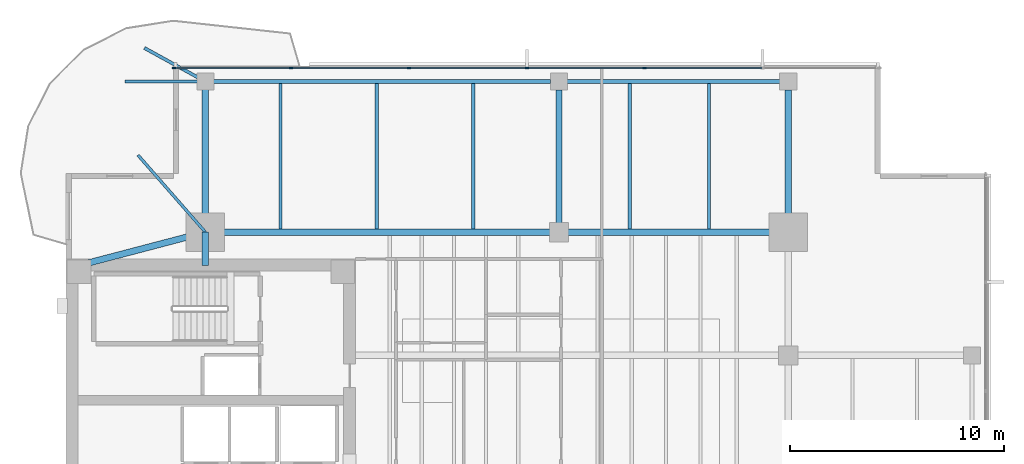
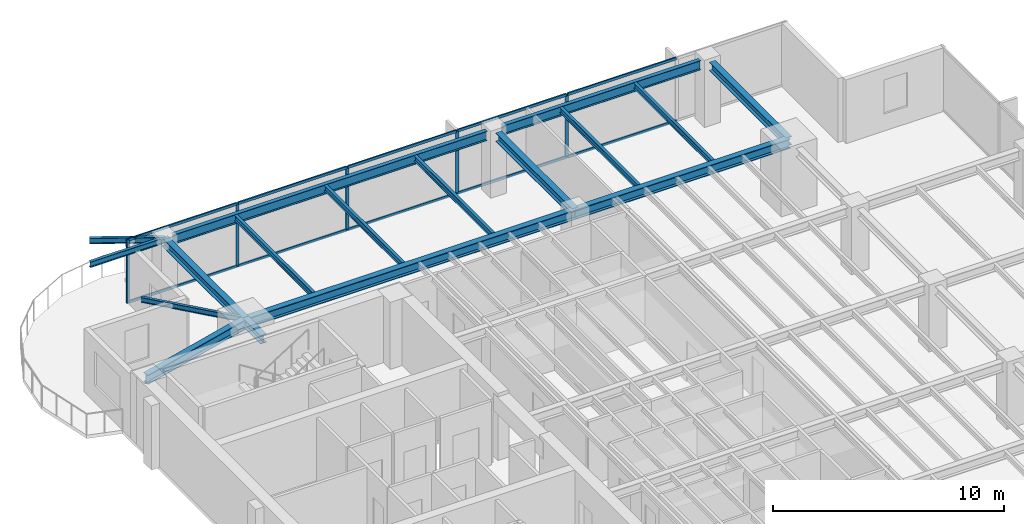
# One storey, part 5 of 14: 17 beams, 15 members, 1 element without a shape of its own.
"""IFC4 building model written with IfcOpenShell, lengths in metres."""

import ifcopenshell
import ifcopenshell.guid

model = None  # the IFC model being written
_history = None  # IfcOwnerHistory: only IFC2X3 demands one
_inside = {}  # id of a spatial element -> (the spatial element, [elements in it])
_under = {}  # id of a project, library or spatial element -> (it, [spatial elements below it])
_declared = {}  # id of a project -> (the project, [libraries it declares])
_typed = {}  # id of a type object -> (the type object, [elements of that type])
_made_of = {}  # id of a material, layer set ... -> (it, [elements and type objects made of it])


def new_model(schema):
    """Start an empty IFC model of exactly this schema.

    Asked for "IFC4X3", IfcOpenShell would pick the latest addendum, in which some entities
    have other attributes; the version numbers below select the first issue.
    IFC2X3 requires an IfcOwnerHistory on every rooted entity: one is made here for all.
    """
    global model, _history
    if schema == "IFC4X3":
        model = ifcopenshell.file(schema_version=(4, 3, 0, 0))
    else:
        model = ifcopenshell.file(schema=schema)
    _inside.clear()
    _under.clear()
    _declared.clear()
    _typed.clear()
    _made_of.clear()
    _history = None
    if model.schema == "IFC2X3":
        org = make("IfcOrganization", Name="unknown")
        user = make(
            "IfcPersonAndOrganization",
            ThePerson=make("IfcPerson", FamilyName="unknown"),
            TheOrganization=org,
        )
        app = make(
            "IfcApplication",
            ApplicationDeveloper=org,
            Version="unknown",
            ApplicationFullName="unknown",
            ApplicationIdentifier="unknown",
        )
        _history = make(
            "IfcOwnerHistory",
            OwningUser=user,
            OwningApplication=app,
            ChangeAction="ADDED",
            CreationDate=0,
        )
    return model


def make(cls, **values):
    """One entity of the class cls with the attributes given. An attribute that is None is left unset."""
    return model.create_entity(
        cls, **{name: value for name, value in values.items() if value is not None}
    )


def rooted(cls, **values):
    """An entity with a GlobalId (a new one), such as an element, a storey or a relation."""
    return make(cls, GlobalId=ifcopenshell.guid.new(), OwnerHistory=_history, **values)


def si_unit(unit_type, name, prefix=None):
    """IfcSIUnit, for example si_unit("LENGTHUNIT", "METRE", prefix="MILLI")."""
    return make("IfcSIUnit", UnitType=unit_type, Prefix=prefix, Name=name)


def assignment(units):
    """IfcUnitAssignment: the units of a project."""
    return None if units is None else make("IfcUnitAssignment", Units=units)


def point(xyz):
    """IfcCartesianPoint."""
    return None if xyz is None else make("IfcCartesianPoint", Coordinates=xyz)


def direction(xyz):
    """IfcDirection."""
    return None if xyz is None else make("IfcDirection", DirectionRatios=xyz)


def frame(location, z_axis=None, x_axis=None):
    """IfcAxis2Placement3D, a coordinate frame: its origin and axes. An axis left out is left unset."""
    return make(
        "IfcAxis2Placement3D",
        Location=point(location),
        Axis=direction(z_axis),
        RefDirection=direction(x_axis),
    )


def frame_2d(location, x_axis=None):
    """IfcAxis2Placement2D, a coordinate frame in the plane: its origin and x axis."""
    return make(
        "IfcAxis2Placement2D", Location=point(location), RefDirection=direction(x_axis)
    )


def origin():
    """The frame at (0, 0, 0) with its axes left unset."""
    return frame((0.0, 0.0, 0.0))


def origin_2d():
    """The frame at (0, 0) in the plane with its x axis left unset."""
    return frame_2d((0.0, 0.0))


def place(relative_to, where):
    """IfcLocalPlacement: puts the frame where relative to a parent placement (None: the world)."""
    return make(
        "IfcLocalPlacement", PlacementRelTo=relative_to, RelativePlacement=where
    )


def context(
    kind, dimensions, precision=None, world=None, true_north=None, identifier=None
):
    """IfcGeometricRepresentationContext, for example the 3D "Model" context."""
    return make(
        "IfcGeometricRepresentationContext",
        ContextIdentifier=identifier,
        ContextType=kind,
        CoordinateSpaceDimension=dimensions,
        Precision=precision,
        WorldCoordinateSystem=world,
        TrueNorth=true_north,
    )


def subcontext(parent, identifier, kind, view, scale=None):
    """IfcGeometricRepresentationSubContext, for example "Body" below "Model"."""
    return make(
        "IfcGeometricRepresentationSubContext",
        ContextIdentifier=identifier,
        ContextType=kind,
        ParentContext=parent,
        TargetScale=scale,
        TargetView=view,
    )


def project(units=None, contexts=None):
    """IfcProject with its units and contexts."""
    return rooted(
        "IfcProject",
        Name="project",
        RepresentationContexts=contexts,
        UnitsInContext=assignment(units),
    )


def spatial(cls, under=None, at=None, **own):
    """A site, building, storey or space (cls), placed at a placement, below another one or the project."""
    s = rooted(cls, ObjectPlacement=at, **own)
    if under is not None:
        _under.setdefault(under.id(), (under, []))[1].append(s)
    return s


def profile(cls, at=None, kind="AREA", **sizes):
    """A parametric profile (cls). Its sizes go by their IFC names, for example OverallWidth=200.0."""
    return make(cls, ProfileType=kind, Position=at, **sizes)


def rectangle(**sizes):
    """IfcRectangleProfileDef."""
    return profile("IfcRectangleProfileDef", **sizes)


def i_section(**sizes):
    """IfcIShapeProfileDef."""
    return profile("IfcIShapeProfileDef", **sizes)


def extrude(swept, where, along, depth):
    """IfcExtrudedAreaSolid: the profile swept, set in the frame where, extruded along a direction by depth."""
    return make(
        "IfcExtrudedAreaSolid",
        SweptArea=swept,
        Position=where,
        ExtrudedDirection=direction(along),
        Depth=depth,
    )


def shape(context_of_items, identifier, shape_type, items):
    """IfcShapeRepresentation: the items that make up one representation, for example the "Body"."""
    return make(
        "IfcShapeRepresentation",
        ContextOfItems=context_of_items,
        RepresentationIdentifier=identifier,
        RepresentationType=shape_type,
        Items=items,
    )


def material(Name=None, Category=None):
    """IfcMaterial."""
    return make("IfcMaterial", Name=Name, Category=Category)


def layer(
    of_material, thickness, ventilated=None, Name=None, Category=None, Priority=None
):
    """IfcMaterialLayer: one layer of a wall or slab, of a material (None: an air gap)."""
    return make(
        "IfcMaterialLayer",
        Material=of_material,
        LayerThickness=thickness,
        IsVentilated=ventilated,
        Name=Name,
        Category=Category,
        Priority=Priority,
    )


def layer_set(layers, Name=None):
    """IfcMaterialLayerSet."""
    return make("IfcMaterialLayerSet", MaterialLayers=layers, LayerSetName=Name)


def material_profile(
    of_material, cross_section, Name=None, Category=None, Priority=None
):
    """IfcMaterialProfile: a cross section and its material."""
    return make(
        "IfcMaterialProfile",
        Name=Name,
        Material=of_material,
        Profile=cross_section,
        Priority=Priority,
        Category=Category,
    )


def profile_set(profiles, Name=None, composite=None):
    """IfcMaterialProfileSet."""
    return make(
        "IfcMaterialProfileSet",
        Name=Name,
        MaterialProfiles=profiles,
        CompositeProfile=composite,
    )


def made_of(thing, what):
    """Note that an element or type object is made of a material, layer set ...; save() writes the relation."""
    if what is not None:
        _made_of.setdefault(what.id(), (what, []))[1].append(thing)
    return thing


def type_object(cls, material=None, **own):
    """A type object (cls), such as IfcWallType, which elements share."""
    return made_of(rooted(cls, **own), material)


def element(
    cls,
    number,
    at=None,
    inside=None,
    cuts=None,
    type_object=None,
    material=None,
    context=None,
    identifier="Body",
    shape_type=None,
    held_by="IfcProductDefinitionShape",
    body=None,
    shapes=None,
    **own,
):
    """One element of the class cls, such as IfcWall. Its Tag is "e" and its number.

    at: its placement. inside: the storey or other place that contains it. cuts: it is an
    opening in that element (IfcRelVoidsElement). A single representation is given by context,
    identifier, shape_type and body (its items); several are given by shapes. held_by: the class
    of the entity that holds the representations. save() writes the other relations.
    """
    e = rooted(cls, Tag="e%d" % number, ObjectPlacement=at, **own)
    if body is not None:
        shapes = [shape(context, identifier, shape_type, body)]
    if shapes is not None:
        e.Representation = make(held_by, Representations=shapes)
    if inside is not None:
        _inside.setdefault(inside.id(), (inside, []))[1].append(e)
    if cuts is not None:
        rooted(
            "IfcRelVoidsElement", RelatingBuildingElement=cuts, RelatedOpeningElement=e
        )
    if type_object is not None:
        _typed.setdefault(type_object.id(), (type_object, []))[1].append(e)
    return made_of(e, material)


def aggregate(whole, parts):
    """IfcRelAggregates: a whole, such as a stair, and the parts it consists of."""
    return rooted("IfcRelAggregates", RelatingObject=whole, RelatedObjects=parts)


def save(model, path):
    """Write the relations noted so far, then the file.

    IfcRelAggregates (storeys below a building ...), IfcRelContainedInSpatialStructure (elements
    in a storey), IfcRelDefinesByType, IfcRelAssociatesMaterial and IfcRelDeclares: one each for
    every whole, place, type object, material and project.
    """
    for whole, parts in _under.values():
        aggregate(whole, parts)
    for where, things in _inside.values():
        rooted(
            "IfcRelContainedInSpatialStructure",
            RelatedElements=things,
            RelatingStructure=where,
        )
    for kind, things in _typed.values():
        rooted("IfcRelDefinesByType", RelatedObjects=things, RelatingType=kind)
    for what, things in _made_of.values():
        rooted("IfcRelAssociatesMaterial", RelatedObjects=things, RelatingMaterial=what)
    for by, libraries in _declared.values():
        rooted("IfcRelDeclares", RelatingContext=by, RelatedDefinitions=libraries)
    model.write(path)


model = new_model("IFC4")

# Units and contexts
model_context = context("Model", 3, precision=1e-05, world=origin(), true_north=direction((0.0, 1.0)))
body_context = subcontext(model_context, "Body", "Model", "MODEL_VIEW")
ifc_project = project(units=[si_unit("LENGTHUNIT", "METRE"), si_unit("AREAUNIT", "SQUARE_METRE"), si_unit("VOLUMEUNIT", "CUBIC_METRE"), si_unit("PLANEANGLEUNIT", "RADIAN"), si_unit("MASSUNIT", "GRAM", prefix="KILO")], contexts=[model_context])

# Site, building, storey
site_placement = place(None, origin())
site = spatial("IfcSite", under=ifc_project, at=site_placement, CompositionType="ELEMENT")
building_placement = place(site_placement, origin())
building = spatial("IfcBuilding", under=site, at=building_placement, Name="Kinhvarn Gate Tower", CompositionType="ELEMENT")
storey_placement = place(building_placement, frame((0.0, 0.0, 191.60009765625)))
storey = spatial("IfcBuildingStorey", under=building, at=storey_placement, Name="L50", CompositionType="ELEMENT", Elevation=191.60009765625)

# Curtain wall, members
ifc_material_1 = material(Name="Anodised aluminium AW-6063", Category="aluminium")
ifc_layer = layer(ifc_material_1, 0.179931640625)
ifc_layer_set = layer_set([ifc_layer], Name="Anodised aluminium AW-6063")
curtain_wall_type = type_object("IfcCurtainWallType", Name="CW-SYS-3", PredefinedType="NOTDEFINED", material=ifc_layer_set)
curtain_wall_placement = place(storey_placement, origin())
curtain_wall = element("IfcCurtainWall", 1, at=curtain_wall_placement, inside=storey, type_object=curtain_wall_type, Name="Curtain Wall CW3 (L50)", PredefinedType="NOTDEFINED")
ifc_material_profile_1 = material_profile(ifc_material_1, rectangle(XDim=0.06494140625, YDim=0.159912109375, at=origin_2d()), Name="ALU 65x160")
ifc_profile_set_1 = profile_set([ifc_material_profile_1], Name="Anodised aluminium AW-6063")
member_type_1 = type_object("IfcMemberType", Name="CW-MUL-160", PredefinedType="MULLION", material=ifc_profile_set_1)
member_1_placement = place(storey_placement, frame((31.5, 45.409912109375, 0.0), z_axis=(0.0, 0.0, 1.0), x_axis=(0.0, -1.0, 0.0)))
member_1 = element("IfcMember", 2, at=member_1_placement, type_object=member_type_1, Name="CW3 mullion 3", PredefinedType="MULLION", context=body_context, shape_type="SweptSolid", body=[
    extrude(rectangle(XDim=0.06494140625, YDim=0.159912109375, at=origin_2d()), origin(), (0.0, 0.0, 1.0), 3.369873046875),
])
member_2_placement = place(storey_placement, frame((26.0, 45.409912109375, 0.0), z_axis=(0.0, 0.0, 1.0), x_axis=(0.0, -1.0, 0.0)))
member_2 = element("IfcMember", 3, at=member_2_placement, type_object=member_type_1, Name="CW3 mullion 4", PredefinedType="MULLION", context=body_context, shape_type="SweptSolid", body=[
    extrude(rectangle(XDim=0.06494140625, YDim=0.159912109375, at=origin_2d()), origin(), (0.0, 0.0, 1.0), 3.369873046875),
])
member_3_placement = place(storey_placement, frame((20.5, 45.409912109375, 0.0), z_axis=(0.0, 0.0, 1.0), x_axis=(0.0, -1.0, 0.0)))
member_3 = element("IfcMember", 4, at=member_3_placement, type_object=member_type_1, Name="CW3 mullion 5", PredefinedType="MULLION", context=body_context, shape_type="SweptSolid", body=[
    extrude(rectangle(XDim=0.06494140625, YDim=0.159912109375, at=origin_2d()), origin(), (0.0, 0.0, 1.0), 3.369873046875),
])
member_4_placement = place(storey_placement, frame((15.0, 45.409912109375, 0.0), z_axis=(0.0, 0.0, 1.0), x_axis=(0.0, -1.0, 0.0)))
member_4 = element("IfcMember", 5, at=member_4_placement, type_object=member_type_1, Name="CW3 mullion 6", PredefinedType="MULLION", context=body_context, shape_type="SweptSolid", body=[
    extrude(rectangle(XDim=0.06494140625, YDim=0.159912109375, at=origin_2d()), origin(), (0.0, 0.0, 1.0), 3.369873046875),
])
member_5_placement = place(storey_placement, frame((9.532470703125, 45.409912109375, 0.0), z_axis=(0.0, 0.0, 1.0), x_axis=(0.0, -1.0, 0.0)))
member_5 = element("IfcMember", 6, at=member_5_placement, type_object=member_type_1, Name="CW3 mullion 7", PredefinedType="MULLION", context=body_context, shape_type="SweptSolid", body=[
    extrude(rectangle(XDim=0.06494140625, YDim=0.159912109375, at=origin_2d()), origin(), (0.0, 0.0, 1.0), 3.369873046875),
])
ifc_material_profile_2 = material_profile(ifc_material_1, rectangle(XDim=0.070068359375, YDim=0.139892578125, at=origin_2d()), Name="ALU 70x140")
ifc_profile_set_2 = profile_set([ifc_material_profile_2], Name="Anodised aluminium AW-6063")
member_type_2 = type_object("IfcMemberType", Name="CW-TRN-140", PredefinedType="USERDEFINED", material=ifc_profile_set_2)
member_6_placement = place(storey_placement, frame((36.967529296875, 45.409912109375, 0.034912109375), z_axis=(-1.0, 0.0, 0.0), x_axis=(0.0, -1.0, 0.0)))
member_6 = element("IfcMember", 7, at=member_6_placement, type_object=member_type_2, Name="CW3 transom 2.1", ObjectType="TRANSOM", PredefinedType="USERDEFINED", context=body_context, shape_type="SweptSolid", body=[
    extrude(rectangle(XDim=0.070068359375, YDim=0.139892578125, at=origin_2d()), origin(), (0.0, 0.0, 1.0), 5.43505859375),
])
member_7_placement = place(storey_placement, frame((36.967529296875, 45.409912109375, 3.3349609375), z_axis=(-1.0, 0.0, 0.0), x_axis=(0.0, -1.0, 0.0)))
member_7 = element("IfcMember", 8, at=member_7_placement, type_object=member_type_2, Name="CW3 transom 2.2", ObjectType="TRANSOM", PredefinedType="USERDEFINED", context=body_context, shape_type="SweptSolid", body=[
    extrude(rectangle(XDim=0.070068359375, YDim=0.139892578125, at=origin_2d()), origin(), (0.0, 0.0, 1.0), 5.43505859375),
])
member_8_placement = place(storey_placement, frame((31.467529296875, 45.409912109375, 0.034912109375), z_axis=(-1.0, 0.0, 0.0), x_axis=(0.0, -1.0, 0.0)))
member_8 = element("IfcMember", 9, at=member_8_placement, type_object=member_type_2, Name="CW3 transom 3.1", ObjectType="TRANSOM", PredefinedType="USERDEFINED", context=body_context, shape_type="SweptSolid", body=[
    extrude(rectangle(XDim=0.070068359375, YDim=0.139892578125, at=origin_2d()), origin(), (0.0, 0.0, 1.0), 5.43505859375),
])
member_9_placement = place(storey_placement, frame((31.467529296875, 45.409912109375, 3.3349609375), z_axis=(-1.0, 0.0, 0.0), x_axis=(0.0, -1.0, 0.0)))
member_9 = element("IfcMember", 10, at=member_9_placement, type_object=member_type_2, Name="CW3 transom 3.2", ObjectType="TRANSOM", PredefinedType="USERDEFINED", context=body_context, shape_type="SweptSolid", body=[
    extrude(rectangle(XDim=0.070068359375, YDim=0.139892578125, at=origin_2d()), origin(), (0.0, 0.0, 1.0), 5.43505859375),
])
member_10_placement = place(storey_placement, frame((25.967529296875, 45.409912109375, 0.034912109375), z_axis=(-1.0, 0.0, 0.0), x_axis=(0.0, -1.0, 0.0)))
member_10 = element("IfcMember", 11, at=member_10_placement, type_object=member_type_2, Name="CW3 transom 4.1", ObjectType="TRANSOM", PredefinedType="USERDEFINED", context=body_context, shape_type="SweptSolid", body=[
    extrude(rectangle(XDim=0.070068359375, YDim=0.139892578125, at=origin_2d()), origin(), (0.0, 0.0, 1.0), 5.43505859375),
])
member_11_placement = place(storey_placement, frame((25.967529296875, 45.409912109375, 3.3349609375), z_axis=(-1.0, 0.0, 0.0), x_axis=(0.0, -1.0, 0.0)))
member_11 = element("IfcMember", 12, at=member_11_placement, type_object=member_type_2, Name="CW3 transom 4.2", ObjectType="TRANSOM", PredefinedType="USERDEFINED", context=body_context, shape_type="SweptSolid", body=[
    extrude(rectangle(XDim=0.070068359375, YDim=0.139892578125, at=origin_2d()), origin(), (0.0, 0.0, 1.0), 5.43505859375),
])
member_12_placement = place(storey_placement, frame((20.467529296875, 45.409912109375, 0.034912109375), z_axis=(-1.0, 0.0, 0.0), x_axis=(0.0, -1.0, 0.0)))
member_12 = element("IfcMember", 13, at=member_12_placement, type_object=member_type_2, Name="CW3 transom 5.1", ObjectType="TRANSOM", PredefinedType="USERDEFINED", context=body_context, shape_type="SweptSolid", body=[
    extrude(rectangle(XDim=0.070068359375, YDim=0.139892578125, at=origin_2d()), origin(), (0.0, 0.0, 1.0), 5.43505859375),
])
member_13_placement = place(storey_placement, frame((20.467529296875, 45.409912109375, 3.3349609375), z_axis=(-1.0, 0.0, 0.0), x_axis=(0.0, -1.0, 0.0)))
member_13 = element("IfcMember", 14, at=member_13_placement, type_object=member_type_2, Name="CW3 transom 5.2", ObjectType="TRANSOM", PredefinedType="USERDEFINED", context=body_context, shape_type="SweptSolid", body=[
    extrude(rectangle(XDim=0.070068359375, YDim=0.139892578125, at=origin_2d()), origin(), (0.0, 0.0, 1.0), 5.43505859375),
])
member_14_placement = place(storey_placement, frame((14.967529296875, 45.409912109375, 0.034912109375), z_axis=(-1.0, 0.0, 0.0), x_axis=(0.0, -1.0, 0.0)))
member_14 = element("IfcMember", 15, at=member_14_placement, type_object=member_type_2, Name="CW3 transom 6.1", ObjectType="TRANSOM", PredefinedType="USERDEFINED", context=body_context, shape_type="SweptSolid", body=[
    extrude(rectangle(XDim=0.070068359375, YDim=0.139892578125, at=origin_2d()), origin(), (0.0, 0.0, 1.0), 5.402587890625),
])
member_15_placement = place(storey_placement, frame((14.967529296875, 45.409912109375, 3.3349609375), z_axis=(-1.0, 0.0, 0.0), x_axis=(0.0, -1.0, 0.0)))
member_15 = element("IfcMember", 16, at=member_15_placement, type_object=member_type_2, Name="CW3 transom 6.2", ObjectType="TRANSOM", PredefinedType="USERDEFINED", context=body_context, shape_type="SweptSolid", body=[
    extrude(rectangle(XDim=0.070068359375, YDim=0.139892578125, at=origin_2d()), origin(), (0.0, 0.0, 1.0), 5.402587890625),
])
aggregate(curtain_wall, [member_1, member_2, member_3, member_4, member_5, member_6, member_7, member_8, member_9, member_10, member_11, member_12, member_13, member_14, member_15])

# Beams
ifc_material_2 = material(Name="Steel S355", Category="steel")
ifc_material_profile_3 = material_profile(ifc_material_2, i_section(OverallWidth=0.300048828125, OverallDepth=0.449951171875, WebThickness=0.013916015625, FlangeThickness=0.02587890625, at=origin_2d()), Name="HEB 450")
ifc_profile_set_3 = profile_set([ifc_material_profile_3], Name="Steel S355")
beam_type_1 = type_object("IfcBeamType", Name="STL-HEB450", PredefinedType="BEAM", material=ifc_profile_set_3)
beam_1_placement = place(storey_placement, frame((11.0, 36.199951171875, 3.14501953125), z_axis=(0.0, 1.0, 0.0), x_axis=(-1.0, 0.0, 0.0)))
element("IfcBeam", 17, at=beam_1_placement, inside=storey, type_object=beam_type_1, Name="Floor Beam PG-13 (L50 MCW-CN)", PredefinedType="BEAM", context=body_context, shape_type="SweptSolid", body=[
    extrude(i_section(OverallWidth=0.300048828125, OverallDepth=0.449951171875, WebThickness=0.013916015625, FlangeThickness=0.02587890625, at=origin_2d()), origin(), (0.0, 0.0, 1.0), 1.550048828125),
])
beam_2_placement = place(storey_placement, frame((11.0, 37.75, 3.14501953125), z_axis=(0.0, 1.0, 0.0), x_axis=(-1.0, 0.0, 0.0)))
element("IfcBeam", 18, at=beam_2_placement, inside=storey, type_object=beam_type_1, Name="Floor Beam PG-13 (L50 MCW-N)", PredefinedType="BEAM", context=body_context, shape_type="SweptSolid", body=[
    extrude(i_section(OverallWidth=0.300048828125, OverallDepth=0.449951171875, WebThickness=0.013916015625, FlangeThickness=0.02587890625, at=origin_2d()), origin(), (0.0, 0.0, 1.0), 7.030029296875),
])
for number, where, z_axis, x_axis, name in (
    (19, (27.5, 37.75, 3.14501953125), (0.0, 1.0, 0.0), (-1.0, 0.0, 0.0), "Floor Beam PG-13 (L50 SP27-N-TIE)"),
    (20, (38.199951171875, 37.75, 3.14501953125), (0.0, 1.0, 0.0), (-1.0, 0.0, 0.0), "Floor Beam PG-13 (L50 MCE-N)"),
):
    element("IfcBeam", number, at=place(storey_placement, frame(where, z_axis=z_axis, x_axis=x_axis)), inside=storey, type_object=beam_type_1, Name=name, PredefinedType="BEAM", context=body_context, shape_type="SweptSolid", body=[
        extrude(i_section(OverallWidth=0.300048828125, OverallDepth=0.449951171875, WebThickness=0.013916015625, FlangeThickness=0.02587890625, at=origin_2d()), origin(), (0.0, 0.0, 1.0), 6.64501953125),
    ])
ifc_material_profile_4 = material_profile(ifc_material_2, i_section(OverallWidth=0.300048828125, OverallDepth=0.5, WebThickness=0.014404296875, FlangeThickness=0.028076171875, at=origin_2d()), Name="HEB 500")
ifc_profile_set_4 = profile_set([ifc_material_profile_4], Name="Steel S355")
beam_type_2 = type_object("IfcBeamType", Name="STL-HEB500", PredefinedType="BEAM", material=ifc_profile_set_4)
beam_3_placement = place(storey_placement, frame((11.0, 37.75, 3.119873046875), z_axis=(1.0, 0.0, 0.0), x_axis=(0.0, 1.0, 0.0)))
element("IfcBeam", 21, at=beam_3_placement, inside=storey, type_object=beam_type_2, Name="Floor Beam PG-14 (L50 MG-N1)", PredefinedType="BEAM", context=body_context, shape_type="SweptSolid", body=[
    extrude(i_section(OverallWidth=0.300048828125, OverallDepth=0.5, WebThickness=0.014404296875, FlangeThickness=0.028076171875, at=origin_2d()), origin(), (0.0, 0.0, 1.0), 16.5),
])
beam_4_placement = place(storey_placement, frame((27.5, 37.75, 3.119873046875), z_axis=(1.0, 0.0, 0.0), x_axis=(0.0, 1.0, 0.0)))
element("IfcBeam", 22, at=beam_4_placement, inside=storey, type_object=beam_type_2, Name="Floor Beam PG-14 (L50 MG-N2)", PredefinedType="BEAM", context=body_context, shape_type="SweptSolid", body=[
    extrude(i_section(OverallWidth=0.300048828125, OverallDepth=0.5, WebThickness=0.014404296875, FlangeThickness=0.028076171875, at=origin_2d()), origin(), (0.0, 0.0, 1.0), 10.699951171875),
])
beam_5_placement = place(storey_placement, frame((5.10009765625, 36.199951171875, 3.119873046875), z_axis=(0.967177623957, 0.254101246979, 0.0), x_axis=(-0.254101246979, 0.967177623957, 0.0)))
element("IfcBeam", 23, at=beam_5_placement, inside=storey, type_object=beam_type_2, Name="Floor Beam PG-14 (L50 MG-NW-DIAG)", PredefinedType="BEAM", context=body_context, shape_type="SweptSolid", body=[
    extrude(i_section(OverallWidth=0.300048828125, OverallDepth=0.5, WebThickness=0.014404296875, FlangeThickness=0.028076171875, at=origin_2d()), origin(), (0.0, 0.0, 1.0), 6.10009765625),
])
ifc_material_profile_5 = material_profile(ifc_material_2, i_section(OverallWidth=0.135009765625, OverallDepth=0.27001953125, WebThickness=0.006591796875, FlangeThickness=0.01025390625, at=origin_2d()), Name="IPE 270")
ifc_profile_set_5 = profile_set([ifc_material_profile_5], Name="Steel S355")
beam_type_3 = type_object("IfcBeamType", Name="STL-IPE270", PredefinedType="JOIST", material=ifc_profile_set_5)
beam_6_placement = place(storey_placement, frame((11.0, 37.75, 3.23486328125), z_axis=(-0.658482928045, 0.752595664001, 0.0), x_axis=(-0.752595664001, -0.658482928045, 0.0)))
element("IfcBeam", 24, at=beam_6_placement, inside=storey, type_object=beam_type_3, Name="Floor Joist SB-01 (L50 BAL-B3-L51)", PredefinedType="JOIST", context=body_context, shape_type="SweptSolid", body=[
    extrude(i_section(OverallWidth=0.135009765625, OverallDepth=0.27001953125, WebThickness=0.006591796875, FlangeThickness=0.01025390625, at=origin_2d()), origin(), (0.0, 0.0, 1.0), 4.78369140625),
])
ifc_material_profile_6 = material_profile(ifc_material_2, i_section(OverallWidth=0.14990234375, OverallDepth=0.300048828125, WebThickness=0.007080078125, FlangeThickness=0.0107421875, at=origin_2d()), Name="IPE 300")
ifc_profile_set_6 = profile_set([ifc_material_profile_6], Name="Steel S355")
beam_type_4 = type_object("IfcBeamType", Name="STL-IPE300", PredefinedType="JOIST", material=ifc_profile_set_6)
for number, where, z_axis, x_axis, name in (
    (25, (14.5, 37.89990234375, 3.219970703125), (0.0, 1.0, 0.0), (-1.0, 0.0, 0.0), "Floor Joist SB-02 (L50 JN-X145)"),
    (26, (19.0, 37.89990234375, 3.219970703125), (0.0, 1.0, 0.0), (-1.0, 0.0, 0.0), "Floor Joist SB-02 (L50 JN-X190)"),
    (27, (23.5, 37.89990234375, 3.219970703125), (0.0, 1.0, 0.0), (-1.0, 0.0, 0.0), "Floor Joist SB-02 (L50 JN-X235)"),
    (28, (30.800048828125, 37.89990234375, 3.219970703125), (0.0, 1.0, 0.0), (-1.0, 0.0, 0.0), "Floor Joist SB-02 (L50 JN-X308)"),
    (29, (34.5, 37.89990234375, 3.219970703125), (0.0, 1.0, 0.0), (-1.0, 0.0, 0.0), "Floor Joist SB-02 (L50 JN-X345)"),
):
    element("IfcBeam", number, at=place(storey_placement, frame(where, z_axis=z_axis, x_axis=x_axis)), inside=storey, type_object=beam_type_4, Name=name, PredefinedType="JOIST", context=body_context, shape_type="SweptSolid", body=[
        extrude(i_section(OverallWidth=0.14990234375, OverallDepth=0.300048828125, WebThickness=0.007080078125, FlangeThickness=0.0107421875, at=origin_2d()), origin(), (0.0, 0.0, 1.0), 6.780029296875),
    ])
beam_7_placement = place(storey_placement, frame((11.0, 44.780029296875, 3.219970703125), z_axis=(-1.0, 0.0, 0.0), x_axis=(0.0, -1.0, 0.0)))
element("IfcBeam", 30, at=beam_7_placement, inside=storey, type_object=beam_type_4, Name="Floor Joist SB-02 (L50 BAL-B1-L51)", PredefinedType="JOIST", context=body_context, shape_type="SweptSolid", body=[
    extrude(i_section(OverallWidth=0.14990234375, OverallDepth=0.300048828125, WebThickness=0.007080078125, FlangeThickness=0.0107421875, at=origin_2d()), origin(), (0.0, 0.0, 1.0), 3.75),
])
beam_8_placement = place(storey_placement, frame((11.0, 44.780029296875, 3.219970703125), z_axis=(-0.875889381738, 0.482511959394, 0.0), x_axis=(-0.482511959394, -0.875889381738, 0.0)))
element("IfcBeam", 31, at=beam_8_placement, inside=storey, type_object=beam_type_4, Name="Floor Joist SB-02 (L50 BAL-B2-L51)", PredefinedType="JOIST", context=body_context, shape_type="SweptSolid", body=[
    extrude(i_section(OverallWidth=0.14990234375, OverallDepth=0.300048828125, WebThickness=0.007080078125, FlangeThickness=0.0107421875, at=origin_2d()), origin(), (0.0, 0.0, 1.0), 3.25390625),
])
ifc_material_profile_7 = material_profile(ifc_material_2, i_section(OverallWidth=0.199951171875, OverallDepth=0.5, WebThickness=0.01025390625, FlangeThickness=0.01611328125, at=origin_2d()), Name="IPE 500")
ifc_profile_set_7 = profile_set([ifc_material_profile_7], Name="Steel S355")
beam_type_5 = type_object("IfcBeamType", Name="STL-IPE500", PredefinedType="SPANDREL", material=ifc_profile_set_7)
beam_9_placement = place(storey_placement, frame((11.385009765625, 44.780029296875, 3.119873046875), z_axis=(1.0, 0.0, 0.0), x_axis=(0.0, 1.0, 0.0)))
element("IfcBeam", 32, at=beam_9_placement, inside=storey, type_object=beam_type_5, Name="Floor Spandrel SB-07 (L50 SP-N1)", PredefinedType="SPANDREL", context=body_context, shape_type="SweptSolid", body=[
    extrude(i_section(OverallWidth=0.199951171875, OverallDepth=0.5, WebThickness=0.01025390625, FlangeThickness=0.01611328125, at=origin_2d()), origin(), (0.0, 0.0, 1.0), 15.72998046875),
])
beam_10_placement = place(storey_placement, frame((27.885009765625, 44.780029296875, 3.119873046875), z_axis=(1.0, 0.0, 0.0), x_axis=(0.0, 1.0, 0.0)))
element("IfcBeam", 33, at=beam_10_placement, inside=storey, type_object=beam_type_5, Name="Floor Spandrel SB-07 (L50 SP-N2)", PredefinedType="SPANDREL", context=body_context, shape_type="SweptSolid", body=[
    extrude(i_section(OverallWidth=0.199951171875, OverallDepth=0.5, WebThickness=0.01025390625, FlangeThickness=0.01611328125, at=origin_2d()), origin(), (0.0, 0.0, 1.0), 9.929931640625),
])

save(model, "model.ifc")
